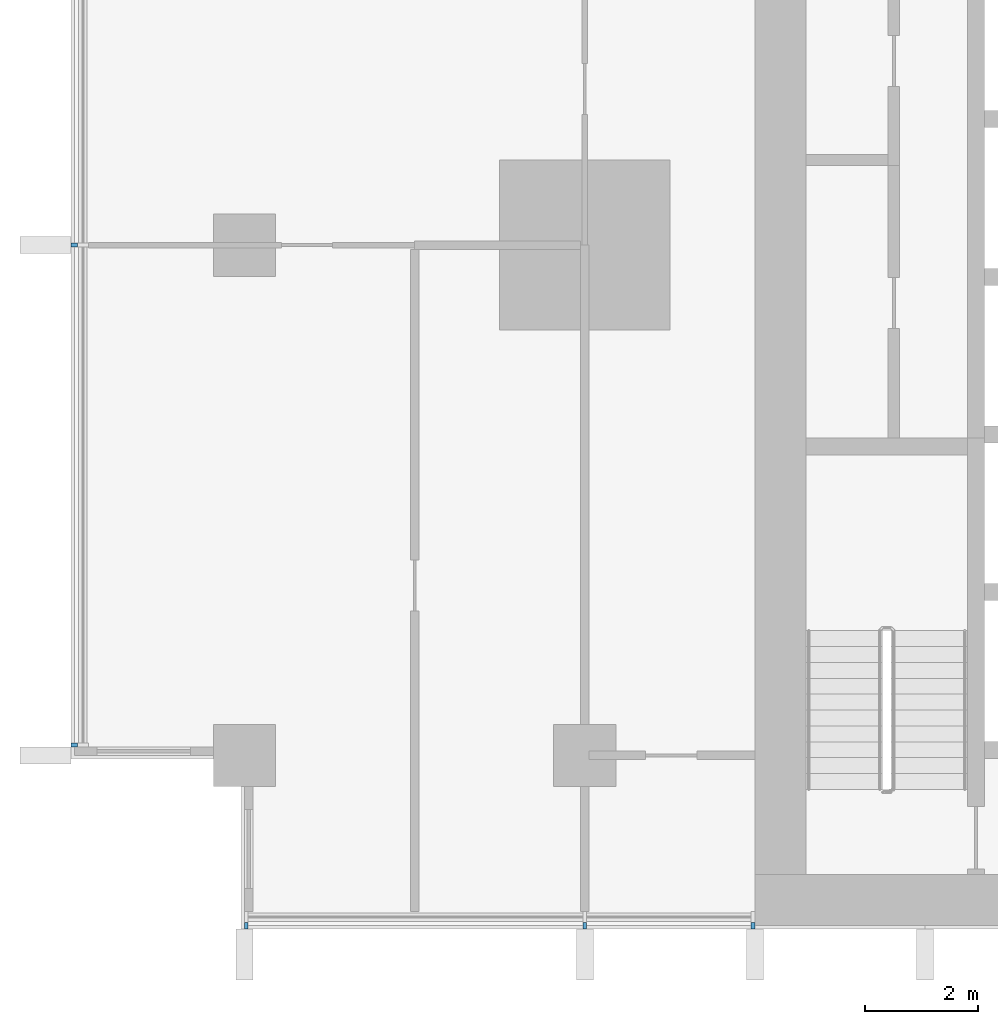
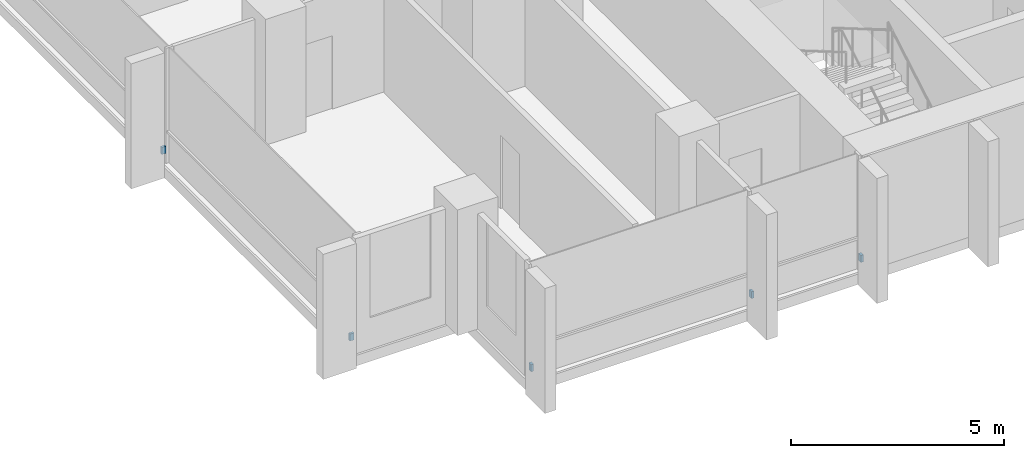
# One storey, part 14 of 18: 5 discrete accessories.
"""IFC4 building model written with IfcOpenShell, lengths in metres."""

from ifc_helpers import new_model, si_unit, direction, frame, origin, origin_2d, place, context, subcontext, project, spatial, rectangle, extrude, material, type_object, element, save


model = new_model("IFC4")

# Units and contexts
model_context = context("Model", 3, precision=1e-05, world=origin(), true_north=direction((0.0, 1.0)))
body_context = subcontext(model_context, "Body", "Model", "MODEL_VIEW")
ifc_project = project(units=[si_unit("LENGTHUNIT", "METRE"), si_unit("AREAUNIT", "SQUARE_METRE"), si_unit("VOLUMEUNIT", "CUBIC_METRE"), si_unit("PLANEANGLEUNIT", "RADIAN"), si_unit("MASSUNIT", "GRAM", prefix="KILO")], contexts=[model_context])

# Site, building, storey
site_placement = place(None, origin())
site = spatial("IfcSite", under=ifc_project, at=site_placement, CompositionType="ELEMENT")
building_placement = place(site_placement, origin())
building = spatial("IfcBuilding", under=site, at=building_placement, Name="Finial Court Residences", CompositionType="ELEMENT")
storey_placement = place(building_placement, frame((0.0, 0.0, 68.5)))
storey = spatial("IfcBuildingStorey", under=building, at=storey_placement, Name="L16", CompositionType="ELEMENT", Elevation=68.5)

# Discrete accessories
ifc_material = material(Name="Stainless steel 316", Category="steel")
discrete_accessory_type = type_object("IfcDiscreteAccessoryType", Name="Fin bracket, stainless steel 65 x 110 x 200", PredefinedType="BRACKET", material=ifc_material)
for number, where, z_axis, x_axis, name in (
    (1, (-22.467529296875, -25.5048828125, 0.2998046875), (0.0, 0.0, 1.0), (1.0, 0.0, 0.0), "E-L16-FIN-S17-BRK"),
    (2, (-16.5, -25.5048828125, 0.2998046875), (0.0, 0.0, 1.0), (1.0, 0.0, 0.0), "E-L16-FIN-S18-BRK"),
    (3, (-13.532470703125, -25.5048828125, 0.2998046875), (0.0, 0.0, 1.0), (1.0, 0.0, 0.0), "E-L16-FIN-S19-BRK"),
):
    element("IfcDiscreteAccessory", number, at=place(storey_placement, frame(where, z_axis=z_axis, x_axis=x_axis)), inside=storey, type_object=discrete_accessory_type, Name=name, PredefinedType="BRACKET", context=body_context, shape_type="SweptSolid", body=[
        extrude(rectangle(XDim=0.06494140625, YDim=0.110107421875, at=origin_2d()), origin(), (0.0, 0.0, 1.0), 0.199951171875),
    ])
for number, where, z_axis, x_axis, name in (
    (4, (-25.5048828125, -22.3173828125, 0.2998046875), (0.0, 0.0, 1.0), (1.0, 0.0, 0.0), "E-L16-FIN-W27-BRK"),
    (5, (-25.5048828125, -13.5, 0.2998046875), (0.0, 0.0, 1.0), (1.0, 0.0, 0.0), "E-L16-FIN-W28-BRK"),
):
    element("IfcDiscreteAccessory", number, at=place(storey_placement, frame(where, z_axis=z_axis, x_axis=x_axis)), inside=storey, type_object=discrete_accessory_type, Name=name, PredefinedType="BRACKET", context=body_context, shape_type="SweptSolid", body=[
        extrude(rectangle(XDim=0.110107421875, YDim=0.06494140625, at=origin_2d()), origin(), (0.0, 0.0, 1.0), 0.199951171875),
    ])

save(model, "model.ifc")
